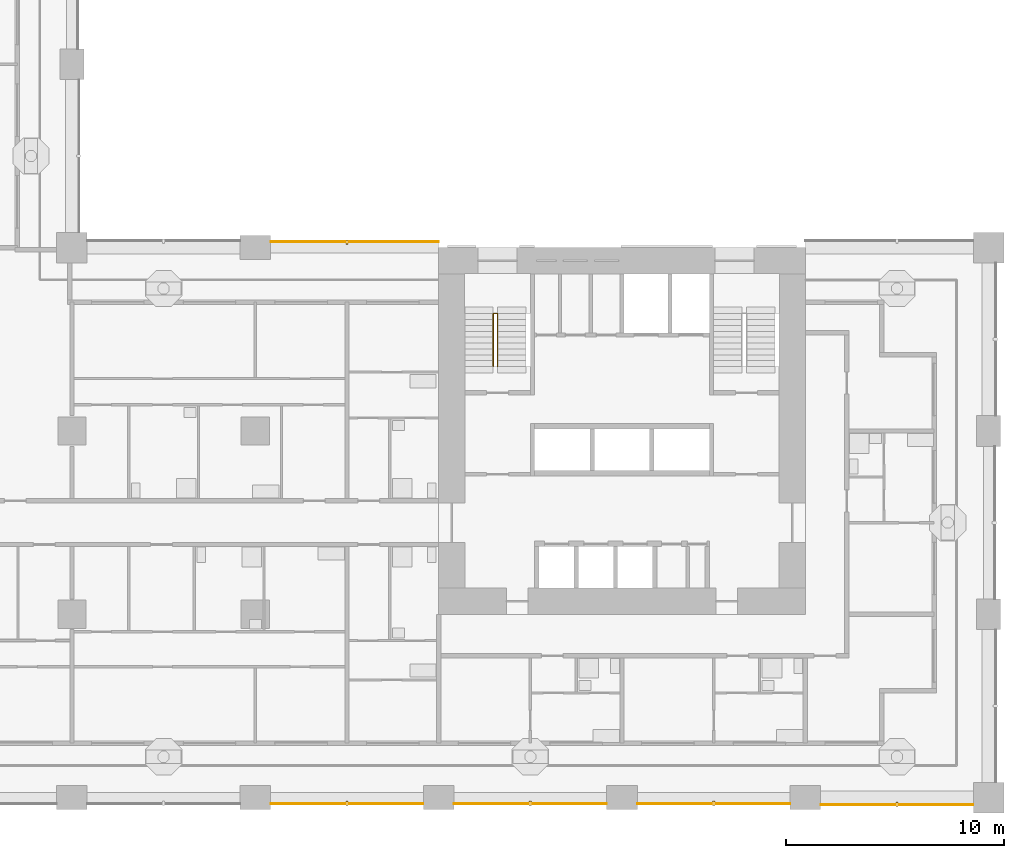
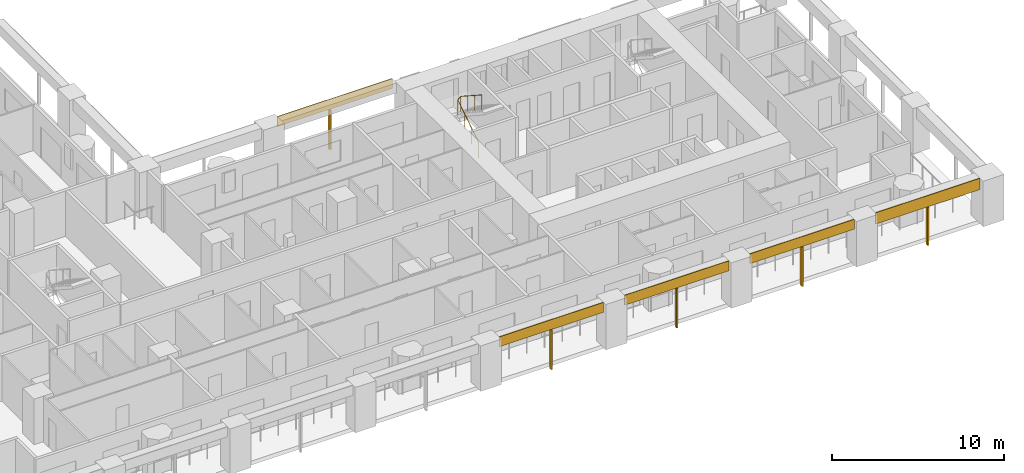
# One storey, part 13 of 22: 10 shading devices, 1 railing.
"""IFC4 building model written with IfcOpenShell, lengths in metres."""

from ifc_helpers import new_model, si_unit, direction, frame, origin, origin_2d, place, context, subcontext, project, spatial, rectangle, circle, extrude, material, layer, layer_set, material_profile, profile_set, type_object, element, save


model = new_model("IFC4")

# Units and contexts
model_context = context("Model", 3, precision=1e-05, world=origin(), true_north=direction((0.0, 1.0)))
body_context = subcontext(model_context, "Body", "Model", "MODEL_VIEW")
ifc_project = project(units=[si_unit("LENGTHUNIT", "METRE"), si_unit("AREAUNIT", "SQUARE_METRE"), si_unit("VOLUMEUNIT", "CUBIC_METRE"), si_unit("PLANEANGLEUNIT", "RADIAN"), si_unit("MASSUNIT", "GRAM", prefix="KILO")], contexts=[model_context])

# Site, building, storey
site_placement = place(None, origin())
site = spatial("IfcSite", under=ifc_project, at=site_placement, CompositionType="ELEMENT")
building_placement = place(site_placement, origin())
building = spatial("IfcBuilding", under=site, at=building_placement, Name="Vermilion Gate Residences", CompositionType="ELEMENT")
storey_placement = place(building_placement, frame((0.0, 0.0, 60.199951171875)))
storey = spatial("IfcBuildingStorey", under=building, at=storey_placement, Name="L14", CompositionType="ELEMENT", Elevation=60.199951171875)

# Shading devices
ifc_material_1 = material(Name="Perforated terracotta", Category="masonry")
ifc_layer = layer(ifc_material_1, 0.0400390625)
ifc_layer_set = layer_set([ifc_layer], Name="PERFORATED TERRACOTTA SCREEN 40")
shading_device_type_1 = type_object("IfcShadingDeviceType", Name="PERFORATED TERRACOTTA SCREEN 40", PredefinedType="SHUTTER", material=ifc_layer_set)
for number, where, z_axis, x_axis, name in (
    (1, (37.800048828125, -0.27001953125, 2.52001953125), (0.0, 0.0, 1.0), (1.0, 0.0, 0.0), "SCREEN"),
    (2, (46.199951171875, -0.27001953125, 2.52001953125), (0.0, 0.0, 1.0), (1.0, 0.0, 0.0), "SCREEN"),
    (3, (54.60009765625, -0.27001953125, 2.52001953125), (0.0, 0.0, 1.0), (1.0, 0.0, 0.0), "SCREEN"),
):
    element("IfcShadingDevice", number, at=place(storey_placement, frame(where, z_axis=z_axis, x_axis=x_axis)), inside=storey, type_object=shading_device_type_1, Name=name, PredefinedType="SHUTTER", context=body_context, shape_type="SweptSolid", body=[
        extrude(rectangle(XDim=7.0, YDim=0.0400390625, at=origin_2d()), origin(), (0.0, 0.0, 1.0), 0.699951171875),
    ])
shading_device_1_placement = place(storey_placement, frame((63.0, -0.320068359375, 2.419921875), z_axis=(0.0, 0.0, 1.0), x_axis=(1.0, 0.0, 0.0)))
element("IfcShadingDevice", 4, at=shading_device_1_placement, inside=storey, type_object=shading_device_type_1, Name="SCREEN", PredefinedType="SHUTTER", context=body_context, shape_type="SweptSolid", body=[
    extrude(rectangle(XDim=7.0, YDim=0.0400390625, at=origin_2d()), origin(), (0.0, 0.0, 1.0), 0.800048828125),
])
shading_device_2_placement = place(storey_placement, frame((38.14990234375, 25.469970703125, 2.52001953125), z_axis=(0.0, 0.0, 1.0), x_axis=(-1.0, 0.0, 0.0)))
element("IfcShadingDevice", 5, at=shading_device_2_placement, inside=storey, type_object=shading_device_type_1, Name="SCREEN", PredefinedType="SHUTTER", context=body_context, shape_type="SweptSolid", body=[
    extrude(rectangle(XDim=7.699951171875, YDim=0.0400390625, at=origin_2d()), origin(), (0.0, 0.0, 1.0), 0.699951171875),
])

# Railing
ifc_material_2 = material(Name="Steel S355", Category="steel")
railing_type = type_object("IfcRailingType", Name="STAIR GUARD 1100 STEEL", PredefinedType="GUARDRAIL", material=ifc_material_2)
railing_placement = place(storey_placement, frame((44.5, 19.75, 0.175048828125)))
element("IfcRailing", 6, at=railing_placement, inside=storey, type_object=railing_type, Name="Stair well guard STA1-14", PredefinedType="GUARDRAIL", context=body_context, shape_type="SweptSolid", body=[
    extrude(circle(Radius=0.02392578125, at=origin_2d()), frame((0.0, 0.0, 1.076171875), z_axis=(0.0, 0.839153699163, 0.543894354798), x_axis=(-1.0, 0.0, 0.0)), (0.0, 0.0, 1.0), 2.895751953125),
    extrude(circle(Radius=0.02392578125, at=origin_2d()), frame((0.0, 2.429931640625, 2.65087890625), z_axis=(0.752405939678, 0.0, 0.658699705433), x_axis=(0.0, 1.0, 0.0)), (0.0, 0.0, 1.0), 0.265869140625),
    extrude(circle(Radius=0.02392578125, at=origin_2d()), frame((0.199951171875, 2.429931640625, 2.826171875), z_axis=(0.0, -0.839153699163, 0.543894354798), x_axis=(1.0, 0.0, 0.0)), (0.0, 0.0, 1.0), 2.895751953125),
    extrude(circle(Radius=0.02099609375, at=origin_2d()), origin(), (0.0, 0.0, 1.0), 1.052001953125),
    extrude(circle(Radius=0.02099609375, at=origin_2d()), frame((0.0, 0.81005859375, 0.52490234375)), (0.0, 0.0, 1.0), 1.052001953125),
    extrude(circle(Radius=0.02099609375, at=origin_2d()), frame((0.0, 1.619873046875, 1.050048828125)), (0.0, 0.0, 1.0), 1.052001953125),
    extrude(circle(Radius=0.02099609375, at=origin_2d()), frame((0.0, 2.429931640625, 1.574951171875)), (0.0, 0.0, 1.0), 1.052001953125),
    extrude(circle(Radius=0.02099609375, at=origin_2d()), frame((0.199951171875, 2.429931640625, 1.75)), (0.0, 0.0, 1.0), 1.052001953125),
    extrude(circle(Radius=0.02099609375, at=origin_2d()), frame((0.199951171875, 1.619873046875, 2.27490234375)), (0.0, 0.0, 1.0), 1.052001953125),
    extrude(circle(Radius=0.02099609375, at=origin_2d()), frame((0.199951171875, 0.81005859375, 2.800048828125)), (0.0, 0.0, 1.0), 1.052001953125),
    extrude(circle(Radius=0.02099609375, at=origin_2d()), frame((0.199951171875, 0.0, 3.324951171875)), (0.0, 0.0, 1.0), 1.052001953125),
])

# Shading devices
ifc_material_3 = material(Name="Extruded terracotta", Category="masonry")
ifc_material_profile = material_profile(ifc_material_3, rectangle(XDim=0.199951171875, YDim=0.10009765625, at=origin_2d()), Name="BAGUETTE 100 X 200")
ifc_profile_set = profile_set([ifc_material_profile], Name="Extruded terracotta")
shading_device_type_2 = type_object("IfcShadingDeviceType", Name="TERRACOTTA BAGUETTE 100 X 200", PredefinedType="JALOUSIE", material=ifc_profile_set)
for number, where, z_axis, x_axis, name in (
    (7, (37.800048828125, -0.25, -0.280029296875), (0.0, 0.0, 1.0), (0.0, 1.0, 0.0), "BAGUETTE"),
    (8, (46.199951171875, -0.25, -0.280029296875), (0.0, 0.0, 1.0), (0.0, 1.0, 0.0), "BAGUETTE"),
    (9, (54.60009765625, -0.25, -0.280029296875), (0.0, 0.0, 1.0), (0.0, 1.0, 0.0), "BAGUETTE"),
):
    element("IfcShadingDevice", number, at=place(storey_placement, frame(where, z_axis=z_axis, x_axis=x_axis)), inside=storey, type_object=shading_device_type_2, Name=name, PredefinedType="JALOUSIE", context=body_context, shape_type="SweptSolid", body=[
        extrude(rectangle(XDim=0.199951171875, YDim=0.10009765625, at=origin_2d()), origin(), (0.0, 0.0, 1.0), 2.800048828125),
    ])
shading_device_3_placement = place(storey_placement, frame((63.0, -0.300048828125, -0.280029296875), z_axis=(0.0, 0.0, 1.0), x_axis=(0.0, 1.0, 0.0)))
element("IfcShadingDevice", 10, at=shading_device_3_placement, inside=storey, type_object=shading_device_type_2, Name="BAGUETTE", PredefinedType="JALOUSIE", context=body_context, shape_type="SweptSolid", body=[
    extrude(rectangle(XDim=0.199951171875, YDim=0.10009765625, at=origin_2d()), origin(), (0.0, 0.0, 1.0), 2.7001953125),
])
shading_device_4_placement = place(storey_placement, frame((37.800048828125, 25.449951171875, -0.280029296875), z_axis=(0.0, 0.0, 1.0), x_axis=(0.0, -1.0, 0.0)))
element("IfcShadingDevice", 11, at=shading_device_4_placement, inside=storey, type_object=shading_device_type_2, Name="BAGUETTE", PredefinedType="JALOUSIE", context=body_context, shape_type="SweptSolid", body=[
    extrude(rectangle(XDim=0.199951171875, YDim=0.10009765625, at=origin_2d()), origin(), (0.0, 0.0, 1.0), 2.800048828125),
])

save(model, "model.ifc")
